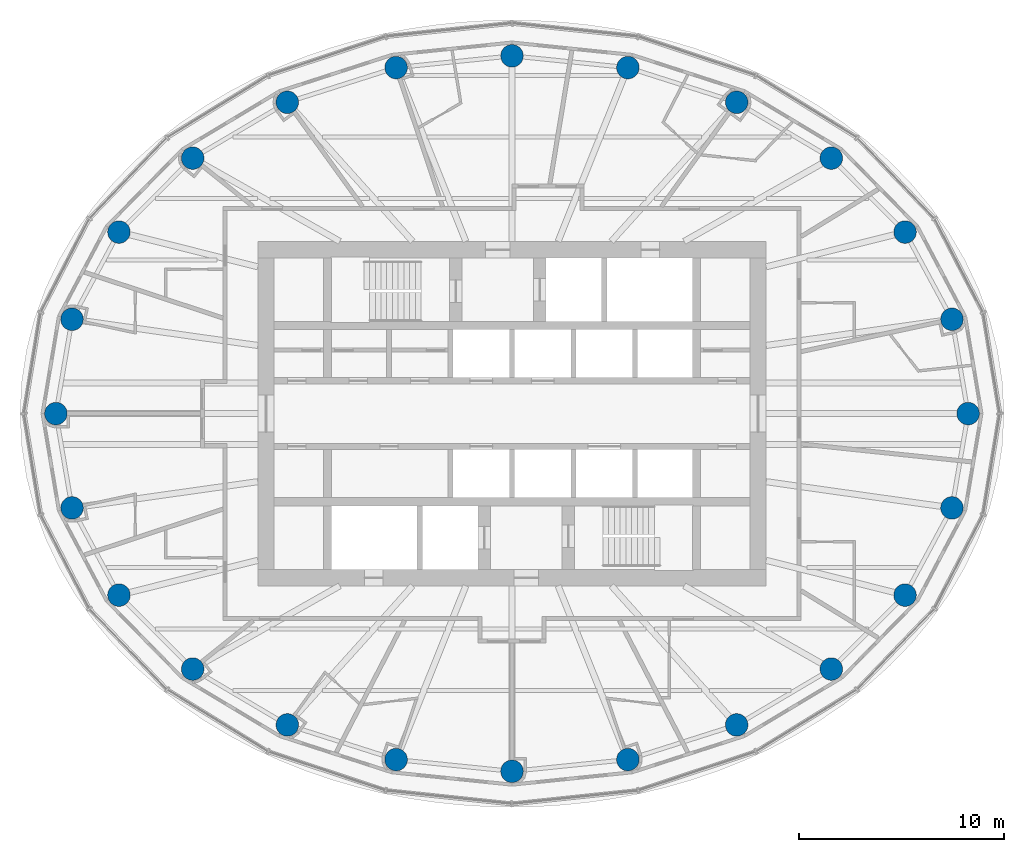
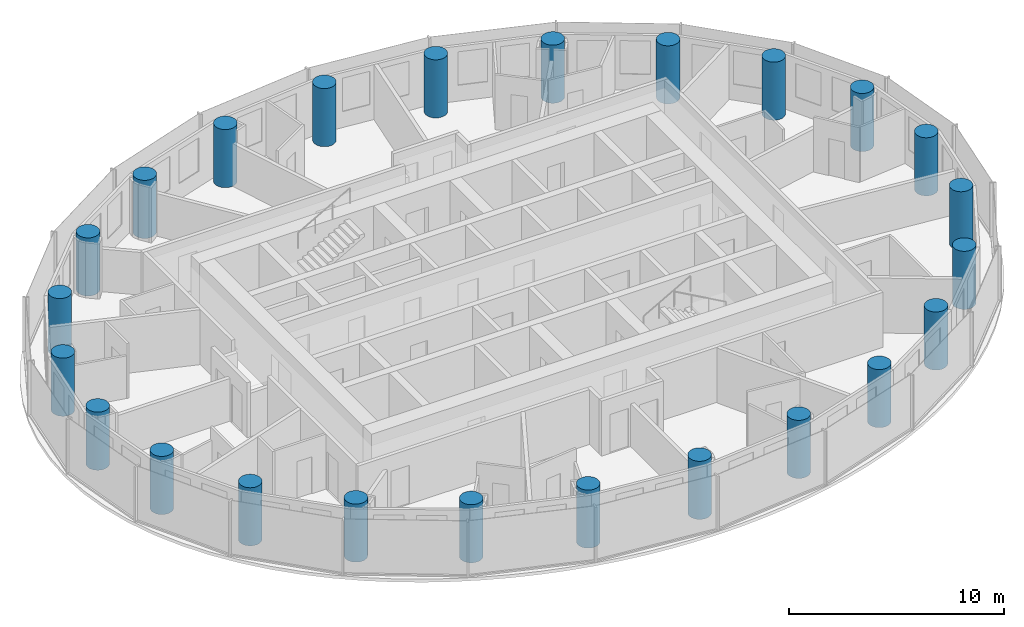
# One storey, part 1 of 13: 24 columns.
"""IFC4 building model written with IfcOpenShell, lengths in metres."""

from ifc_helpers import new_model, si_unit, direction, frame, origin, origin_2d, place, context, subcontext, project, spatial, circle, extrude, material, material_profile, profile_set, type_object, element, save


model = new_model("IFC4")

# Units and contexts
model_context = context("Model", 3, precision=1e-05, world=origin(), true_north=direction((0.0, 1.0)))
body_context = subcontext(model_context, "Body", "Model", "MODEL_VIEW")
ifc_project = project(units=[si_unit("LENGTHUNIT", "METRE"), si_unit("AREAUNIT", "SQUARE_METRE"), si_unit("VOLUMEUNIT", "CUBIC_METRE"), si_unit("PLANEANGLEUNIT", "RADIAN"), si_unit("MASSUNIT", "GRAM", prefix="KILO")], contexts=[model_context])

# Site, building, storey
site_placement = place(None, origin())
site = spatial("IfcSite", under=ifc_project, at=site_placement, CompositionType="ELEMENT")
building_placement = place(site_placement, origin())
building = spatial("IfcBuilding", under=site, at=building_placement, Name="Hankou Lantern Tower", CompositionType="ELEMENT")
storey_placement = place(building_placement, frame((0.0, 0.0, 163.199951171875)))
storey = spatial("IfcBuildingStorey", under=building, at=storey_placement, Name="L43", CompositionType="ELEMENT", Elevation=163.199951171875)

# Columns
ifc_material = material(Name="Concrete C50", Category="concrete")
ifc_material_profile = material_profile(ifc_material, circle(Radius=0.550048828125, at=origin_2d()), Name="RC D1100")
ifc_profile_set = profile_set([ifc_material_profile], Name="Concrete C50")
column_type = type_object("IfcColumnType", Name="TC4 PERIMETER COLUMN RC D1100", PredefinedType="COLUMN", material=ifc_profile_set)
for number, where, z_axis, x_axis, name in (
    (1, (22.25, 0.0, 0.0), (0.0, 0.0, 1.0), (1.0, 0.0, 0.0), "Column R01 L43"),
    (2, (21.462646484375, 4.600830078125, 0.0), (0.0, 0.0, 1.0), (1.0, 0.0, 0.0), "Column R02 L43"),
    (3, (19.172119140625, 8.855224609375, 0.0), (0.0, 0.0, 1.0), (1.0, 0.0, 0.0), "Column R03 L43"),
    (4, (15.576171875, 12.4609375, 0.0), (0.0, 0.0, 1.0), (1.0, 0.0, 0.0), "Column R04 L43"),
    (5, (10.959716796875, 15.186279296875, 0.0), (0.0, 0.0, 1.0), (1.0, 0.0, 0.0), "Column R05 L43"),
    (6, (5.65283203125, 16.87744140625, 0.0), (0.0, 0.0, 1.0), (1.0, 0.0, 0.0), "Column R06 L43"),
    (7, (0.0, 17.449951171875, 0.0), (0.0, 0.0, 1.0), (1.0, 0.0, 0.0), "Column R07 L43"),
    (8, (-5.65283203125, 16.87744140625, 0.0), (0.0, 0.0, 1.0), (1.0, 0.0, 0.0), "Column R08 L43"),
    (9, (-10.959716796875, 15.186279296875, 0.0), (0.0, 0.0, 1.0), (1.0, 0.0, 0.0), "Column R09 L43"),
    (10, (-15.576171875, 12.4609375, 0.0), (0.0, 0.0, 1.0), (1.0, 0.0, 0.0), "Column R10 L43"),
    (11, (-19.172119140625, 8.855224609375, 0.0), (0.0, 0.0, 1.0), (1.0, 0.0, 0.0), "Column R11 L43"),
    (12, (-21.462646484375, 4.600830078125, 0.0), (0.0, 0.0, 1.0), (1.0, 0.0, 0.0), "Column R12 L43"),
    (13, (-22.25, 0.0, 0.0), (0.0, 0.0, 1.0), (1.0, 0.0, 0.0), "Column R13 L43"),
    (14, (-21.462646484375, -4.600830078125, 0.0), (0.0, 0.0, 1.0), (1.0, 0.0, 0.0), "Column R14 L43"),
    (15, (-19.172119140625, -8.855224609375, 0.0), (0.0, 0.0, 1.0), (1.0, 0.0, 0.0), "Column R15 L43"),
    (16, (-15.576171875, -12.4609375, 0.0), (0.0, 0.0, 1.0), (1.0, 0.0, 0.0), "Column R16 L43"),
    (17, (-10.959716796875, -15.186279296875, 0.0), (0.0, 0.0, 1.0), (1.0, 0.0, 0.0), "Column R17 L43"),
    (18, (-5.65283203125, -16.87744140625, 0.0), (0.0, 0.0, 1.0), (1.0, 0.0, 0.0), "Column R18 L43"),
    (19, (0.0, -17.449951171875, 0.0), (0.0, 0.0, 1.0), (1.0, 0.0, 0.0), "Column R19 L43"),
    (20, (5.65283203125, -16.87744140625, 0.0), (0.0, 0.0, 1.0), (1.0, 0.0, 0.0), "Column R20 L43"),
    (21, (10.959716796875, -15.186279296875, 0.0), (0.0, 0.0, 1.0), (1.0, 0.0, 0.0), "Column R21 L43"),
    (22, (15.576171875, -12.4609375, 0.0), (0.0, 0.0, 1.0), (1.0, 0.0, 0.0), "Column R22 L43"),
    (23, (19.172119140625, -8.855224609375, 0.0), (0.0, 0.0, 1.0), (1.0, 0.0, 0.0), "Column R23 L43"),
    (24, (21.462646484375, -4.600830078125, 0.0), (0.0, 0.0, 1.0), (1.0, 0.0, 0.0), "Column R24 L43"),
):
    element("IfcColumn", number, at=place(storey_placement, frame(where, z_axis=z_axis, x_axis=x_axis)), inside=storey, type_object=column_type, Name=name, PredefinedType="COLUMN", context=body_context, shape_type="SweptSolid", body=[
        extrude(circle(Radius=0.550048828125, at=origin_2d()), origin(), (0.0, 0.0, 1.0), 3.300048828125),
    ])

save(model, "model.ifc")
